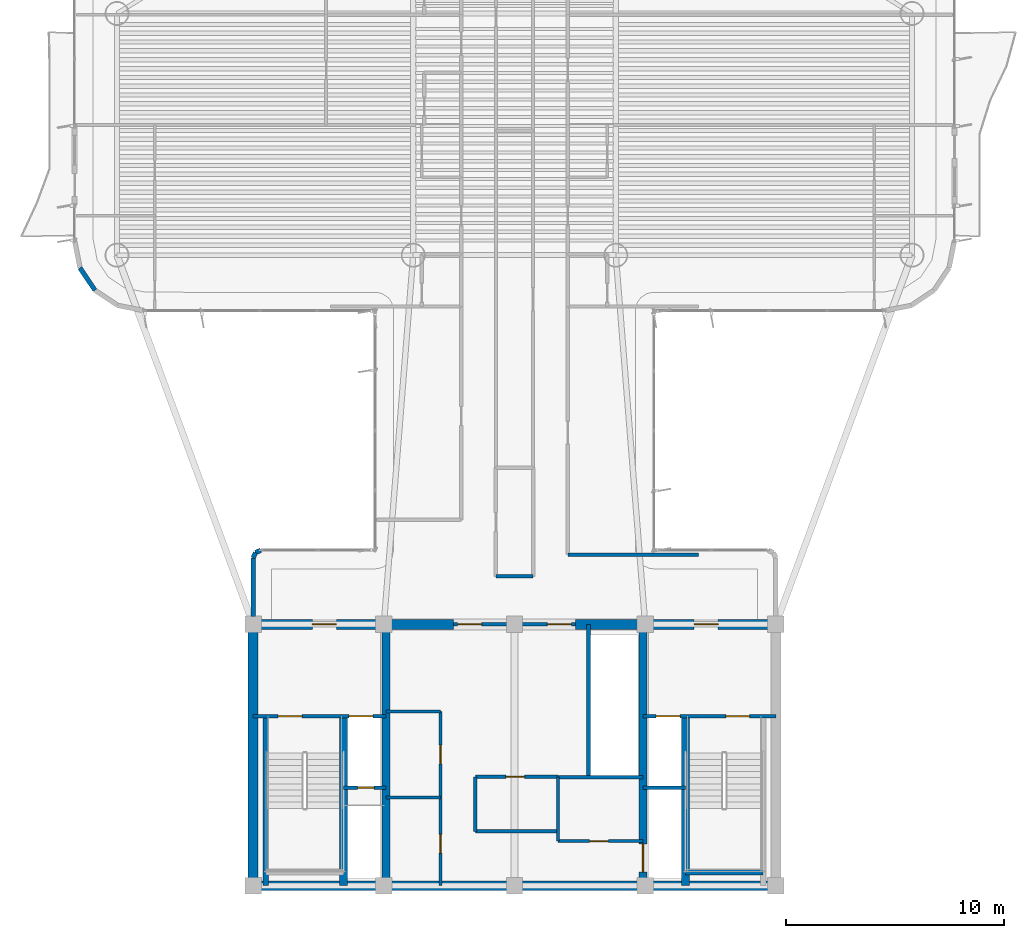
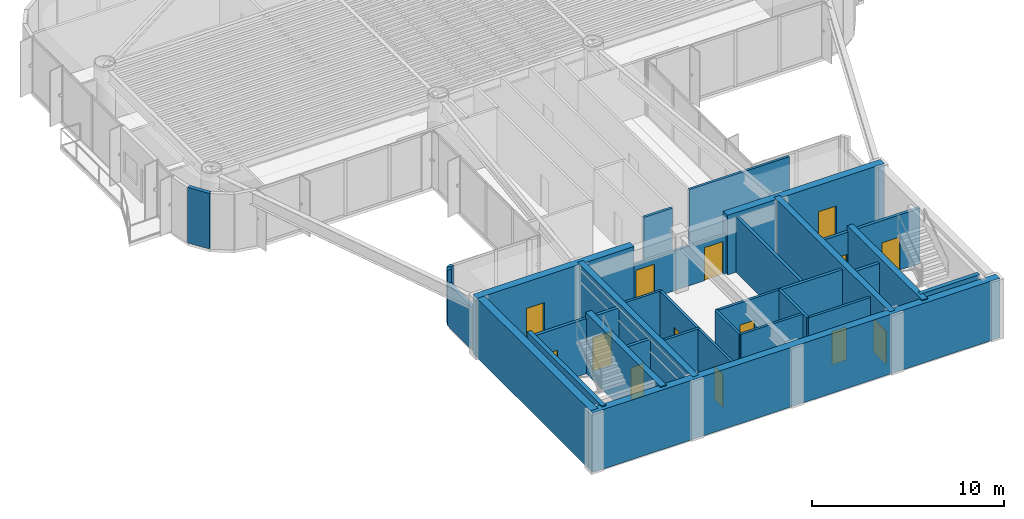
# One storey, part 9 of 14: 31 walls, 14 doors, 14 openings.
"""IFC4 building model written with IfcOpenShell, lengths in metres."""

from ifc_helpers import new_model, si_unit, direction, frame, frame_2d, origin, origin_2d, place, context, subcontext, project, spatial, rectangle, extrude, source, transform, mapped, material, layer, layer_set, type_object, element, fill, save


model = new_model("IFC4")

# Units and contexts
model_context = context("Model", 3, precision=1e-05, world=origin(), true_north=direction((0.0, 1.0)))
body_context = subcontext(model_context, "Body", "Model", "MODEL_VIEW")
ifc_project = project(units=[si_unit("LENGTHUNIT", "METRE"), si_unit("AREAUNIT", "SQUARE_METRE"), si_unit("VOLUMEUNIT", "CUBIC_METRE"), si_unit("PLANEANGLEUNIT", "RADIAN"), si_unit("MASSUNIT", "GRAM", prefix="KILO")], contexts=[model_context])

# Site, building, storey
site_placement = place(None, origin())
site = spatial("IfcSite", under=ifc_project, at=site_placement, CompositionType="ELEMENT")
building_placement = place(site_placement, origin())
building = spatial("IfcBuilding", under=site, at=building_placement, Name="Brelvock Crest Care Tower", CompositionType="ELEMENT")
storey_placement = place(building_placement, frame((0.0, 0.0, 205.56005859375)))
storey = spatial("IfcBuildingStorey", under=building, at=storey_placement, Name="L52", CompositionType="ELEMENT", Elevation=205.56005859375)

# Walls
ifc_material_1 = material(Name="Concrete S65 (65 MPa)", Category="concrete")
ifc_layer_1 = layer(ifc_material_1, 0.449951171875, Name="WL-CS3")
ifc_layer_set_1 = layer_set([ifc_layer_1], Name="Concrete S65 (65 MPa)")
wall_type_1 = type_object("IfcWallType", Name="WL-CS3", PredefinedType="SHEAR", material=ifc_layer_set_1)
wall_1_placement = place(storey_placement, frame((48.22509765625, 6.0, 0.0), z_axis=(0.0, 0.0, 1.0), x_axis=(-1.0, 0.0, 0.0)))
element("IfcWall", 1, at=wall_1_placement, inside=storey, type_object=wall_type_1, Name="L52 Core South Shear Wall", PredefinedType="SHEAR", context=body_context, shape_type="SweptSolid", body=[
    extrude(rectangle(XDim=24.4501953125, YDim=0.449951171875, at=frame_2d((12.22509765625, 0.0))), origin(), (0.0, 0.0, 1.0), 3.780029296875),
])
wall_2_placement = place(storey_placement, frame((24.0, 6.0, 0.0), z_axis=(0.0, 0.0, 1.0), x_axis=(0.0, 1.0, 0.0)))
element("IfcWall", 2, at=wall_2_placement, inside=storey, type_object=wall_type_1, Name="L52 Core West Shear Wall", PredefinedType="SHEAR", context=body_context, shape_type="SweptSolid", body=[
    extrude(rectangle(XDim=12.0, YDim=0.449951171875, at=frame_2d((6.0, 0.0))), origin(), (0.0, 0.0, 1.0), 3.780029296875),
])

# Wall, opening, door
wall_3_placement = place(storey_placement, frame((23.77490234375, 18.0, 0.0), z_axis=(0.0, 0.0, 1.0), x_axis=(1.0, 0.0, 0.0)))
wall_3 = element("IfcWall", 3, at=wall_3_placement, inside=storey, type_object=wall_type_1, Name="L52 Core North-West Shear Wall", PredefinedType="SHEAR", context=body_context, shape_type="SweptSolid", body=[
    extrude(rectangle(XDim=9.425048828125, YDim=0.449951171875, at=frame_2d((4.71240234375, 0.0))), origin(), (0.0, 0.0, 1.0), 3.780029296875),
])
opening_1_placement = place(wall_3_placement, frame((2.949951171875, 0.0, 0.0)))
opening_1 = element("IfcOpeningElement", 4, at=opening_1_placement, cuts=wall_3, Name="Opening FD-1", PredefinedType="OPENING", context=body_context, shape_type="SweptSolid", body=[
    extrude(rectangle(XDim=1.10009765625, YDim=2.10009765625, at=origin_2d()), frame((0.550048828125, 0.23486328125, 1.050048828125), z_axis=(0.0, -1.0, 0.0), x_axis=(1.0, 0.0, 0.0)), (0.0, 0.0, 1.0), 0.469970703125),
])
ifc_material_2 = material(Name="Steel Grade 350", Category="steel")
door_type_1 = type_object("IfcDoorType", Name="DR-FFL1", OperationType="NOTDEFINED", PredefinedType="DOOR", material=ifc_material_2)
shared_shape_1 = source(origin(), body_context, "Body", "SweptSolid", [
    extrude(rectangle(XDim=1.10009765625, YDim=2.10009765625, at=origin_2d()), frame((0.550048828125, 0.02490234375, 1.050048828125), z_axis=(0.0, -1.0, 0.0), x_axis=(1.0, 0.0, 0.0)), (0.0, 0.0, 1.0), 0.050048828125),
])
door_1_placement = place(opening_1_placement, origin())
door_1 = element("IfcDoor", 5, at=door_1_placement, inside=storey, type_object=door_type_1, Name="L52 Firefighting Lobby FFL-1 Exit Door", OperationType="SINGLE_SWING_LEFT", OverallHeight=2.10009765625, OverallWidth=1.10009765625, PredefinedType="DOOR", context=body_context, shape_type="MappedRepresentation", body=[
    mapped(shared_shape_1, transform((0.0, 0.0, 0.0), x_axis=(1.0, 0.0, 0.0), y_axis=(0.0, 1.0, 0.0), z_axis=(0.0, 0.0, 1.0), scale=1.0)),
])
fill(opening_1, door_1)

wall_4_placement = place(storey_placement, frame((38.800048828125, 18.0, 0.0), z_axis=(0.0, 0.0, 1.0), x_axis=(1.0, 0.0, 0.0)))
wall_4 = element("IfcWall", 6, at=wall_4_placement, inside=storey, type_object=wall_type_1, Name="L52 Core North-East Shear Wall", PredefinedType="SHEAR", context=body_context, shape_type="SweptSolid", body=[
    extrude(rectangle(XDim=9.425048828125, YDim=0.449951171875, at=frame_2d((4.71240234375, 0.0))), origin(), (0.0, 0.0, 1.0), 3.780029296875),
])
opening_2_placement = place(wall_4_placement, frame((5.449951171875, 0.0, 0.0)))
opening_2 = element("IfcOpeningElement", 7, at=opening_2_placement, cuts=wall_4, Name="Opening FD-1", PredefinedType="OPENING", context=body_context, shape_type="SweptSolid", body=[
    extrude(rectangle(XDim=1.10009765625, YDim=2.10009765625, at=origin_2d()), frame((0.550048828125, 0.23486328125, 1.050048828125), z_axis=(0.0, -1.0, 0.0), x_axis=(1.0, 0.0, 0.0)), (0.0, 0.0, 1.0), 0.469970703125),
])
door_2_placement = place(opening_2_placement, origin())
door_2 = element("IfcDoor", 8, at=door_2_placement, inside=storey, type_object=door_type_1, Name="L52 Firefighting Lobby FFL-2 Exit Door", OperationType="SINGLE_SWING_RIGHT", OverallHeight=2.10009765625, OverallWidth=1.10009765625, PredefinedType="DOOR", context=body_context, shape_type="MappedRepresentation", body=[
    mapped(shared_shape_1, transform((0.0, 0.0, 0.0), x_axis=(1.0, 0.0, 0.0), y_axis=(0.0, 1.0, 0.0), z_axis=(0.0, 0.0, 1.0), scale=1.0)),
])
fill(opening_2, door_2)

# Wall
ifc_material_3 = material(Name="Concrete S80 (80 MPa)", Category="concrete")
ifc_layer_2 = layer(ifc_material_3, 0.35009765625, Name="WL-CS5")
ifc_layer_set_2 = layer_set([ifc_layer_2], Name="Concrete S80 (80 MPa)")
wall_type_2 = type_object("IfcWallType", Name="WL-CS5", PredefinedType="SHEAR", material=ifc_layer_set_2)
wall_5_placement = place(storey_placement, frame((30.10009765625, 6.0, 0.0), z_axis=(0.0, 0.0, 1.0), x_axis=(0.0, 1.0, 0.0)))
element("IfcWall", 9, at=wall_5_placement, inside=storey, type_object=wall_type_2, Name="L52 Core Internal Web Wall West", PredefinedType="SHEAR", context=body_context, shape_type="SweptSolid", body=[
    extrude(rectangle(XDim=12.0, YDim=0.35009765625, at=frame_2d((6.0, 0.0))), origin(), (0.0, 0.0, 1.0), 3.780029296875),
])

# Wall, opening, door
wall_6_placement = place(storey_placement, frame((41.89990234375, 18.0, 0.0), z_axis=(0.0, 0.0, 1.0), x_axis=(0.0, -1.0, 0.0)))
wall_6 = element("IfcWall", 10, at=wall_6_placement, inside=storey, type_object=wall_type_2, Name="L52 Core Internal Web Wall East", PredefinedType="SHEAR", context=body_context, shape_type="SweptSolid", body=[
    extrude(rectangle(XDim=12.0, YDim=0.35009765625, at=frame_2d((6.0, 0.0))), origin(), (0.0, 0.0, 1.0), 3.780029296875),
])
opening_3_placement = place(wall_6_placement, frame((10.080078125, 0.0, 0.0)))
opening_3 = element("IfcOpeningElement", 11, at=opening_3_placement, cuts=wall_6, Name="Opening LD-S", PredefinedType="OPENING", context=body_context, shape_type="SweptSolid", body=[
    extrude(rectangle(XDim=1.300048828125, YDim=2.10009765625, at=origin_2d()), frame((0.64990234375, 0.18505859375, 1.050048828125), z_axis=(0.0, -1.0, 0.0), x_axis=(1.0, 0.0, 0.0)), (0.0, 0.0, 1.0), 0.3701171875),
])
door_type_2 = type_object("IfcDoorType", Name="DR-LDS1", OperationType="NOTDEFINED", PredefinedType="DOOR", material=ifc_material_2)
shared_shape_2 = source(origin(), body_context, "Body", "SweptSolid", [
    extrude(rectangle(XDim=1.300048828125, YDim=2.10009765625, at=origin_2d()), frame((0.64990234375, 0.02490234375, 1.050048828125), z_axis=(0.0, -1.0, 0.0), x_axis=(1.0, 0.0, 0.0)), (0.0, 0.0, 1.0), 0.050048828125),
])
door_3_placement = place(opening_3_placement, origin())
door_3 = element("IfcDoor", 12, at=door_3_placement, inside=storey, type_object=door_type_2, Name="L52 Clinical Bed Lift SL-1 Landing Door", OperationType="SLIDING_TO_LEFT", OverallHeight=2.10009765625, OverallWidth=1.300048828125, PredefinedType="DOOR", context=body_context, shape_type="MappedRepresentation", body=[
    mapped(shared_shape_2, transform((0.0, 0.0, 0.0), x_axis=(1.0, 0.0, 0.0), y_axis=(0.0, 1.0, 0.0), z_axis=(0.0, 0.0, 1.0), scale=1.0)),
])
fill(opening_3, door_3)

# Walls
for number, where, z_axis, x_axis, name in (
    (13, (28.14990234375, 6.0, 0.0), (0.0, 0.0, 1.0), (0.0, 1.0, 0.0), "L52 Core Stair ST-1 East Shear Wall"),
    (14, (43.85009765625, 6.0, 0.0), (0.0, 0.0, 1.0), (0.0, 1.0, 0.0), "L52 Core Stair ST-2 West Shear Wall"),
):
    element("IfcWall", number, at=place(storey_placement, frame(where, z_axis=z_axis, x_axis=x_axis)), inside=storey, type_object=wall_type_2, Name=name, PredefinedType="SHEAR", context=body_context, shape_type="SweptSolid", body=[
        extrude(rectangle(XDim=7.780029296875, YDim=0.35009765625, at=frame_2d((3.89013671875, 0.0))), origin(), (0.0, 0.0, 1.0), 3.849853515625),
    ])
ifc_layer_3 = layer(ifc_material_3, 0.25, Name="WL-CS6")
ifc_layer_set_3 = layer_set([ifc_layer_3], Name="Concrete S80 (80 MPa)")
wall_type_3 = type_object("IfcWallType", Name="WL-CS6", PredefinedType="SHEAR", material=ifc_layer_set_3)
wall_7_placement = place(storey_placement, frame((24.580078125, 6.0, 0.0), z_axis=(0.0, 0.0, 1.0), x_axis=(0.0, 1.0, 0.0)))
element("IfcWall", 15, at=wall_7_placement, inside=storey, type_object=wall_type_3, Name="L52 Core Stair ST-1 West Shear Wall", PredefinedType="SHEAR", context=body_context, shape_type="SweptSolid", body=[
    extrude(rectangle(XDim=7.780029296875, YDim=0.25, at=frame_2d((3.89013671875, 0.0))), origin(), (0.0, 0.0, 1.0), 3.849853515625),
])
wall_8_placement = place(storey_placement, frame((43.85009765625, 6.6201171875, 0.0), z_axis=(0.0, 0.0, 1.0), x_axis=(1.0, 0.0, 0.0)))
element("IfcWall", 16, at=wall_8_placement, inside=storey, type_object=wall_type_3, Name="L52 Core Stair ST-2 South Shear Wall", PredefinedType="SHEAR", context=body_context, shape_type="SweptSolid", body=[
    extrude(rectangle(XDim=3.56982421875, YDim=0.25, at=frame_2d((1.784912109375, 0.0))), origin(), (0.0, 0.0, 1.0), 3.849853515625),
])
ifc_material_4 = material(Name="Precast concrete N40 (40 MPa)", Category="concrete")
ifc_layer_4 = layer(ifc_material_4, 0.215087890625, Name="WL-EX2")
ifc_layer_set_4 = layer_set([ifc_layer_4], Name="Precast concrete N40 (40 MPa)")
wall_type_4 = type_object("IfcWallType", Name="WL-EX2", PredefinedType="SOLIDWALL", material=ifc_layer_set_4)
wall_9_placement = place(storey_placement, frame((24.0, 18.35498046875, 0.0), z_axis=(0.0, 0.0, 1.0), x_axis=(0.0, 1.0, 0.0)))
element("IfcWall", 17, at=wall_9_placement, inside=storey, type_object=wall_type_4, Name="L52 Rounded Corner Wall 07", PredefinedType="SOLIDWALL", context=body_context, shape_type="SweptSolid", body=[
    extrude(rectangle(XDim=2.695068359375, YDim=0.215087890625, at=frame_2d((1.34765625, 0.0))), origin(), (0.0, 0.0, 1.0), 2.718017578125),
])
wall_10_placement = place(storey_placement, frame((24.0, 21.050048828125, 0.0), z_axis=(0.0, 0.0, 1.0), x_axis=(0.382673670509, 0.923883575944, 0.0)))
element("IfcWall", 18, at=wall_10_placement, inside=storey, type_object=wall_type_4, Name="L52 Rounded Corner Wall 08", PredefinedType="SOLIDWALL", context=body_context, shape_type="SweptSolid", body=[
    extrude(rectangle(XDim=0.26806640625, YDim=0.215087890625, at=frame_2d((0.134033203125, 0.0))), origin(), (0.0, 0.0, 1.0), 3.530029296875),
])
wall_11_placement = place(storey_placement, frame((24.1025390625, 21.297607421875, 0.0), z_axis=(0.0, 0.0, 1.0), x_axis=(0.924205486139, 0.381895560841, 0.0)))
element("IfcWall", 19, at=wall_11_placement, inside=storey, type_object=wall_type_4, Name="L52 Rounded Corner Wall 09", PredefinedType="SOLIDWALL", context=body_context, shape_type="SweptSolid", body=[
    extrude(rectangle(XDim=0.267822265625, YDim=0.215087890625, at=frame_2d((0.1337890625, 0.0))), origin(), (0.0, 0.0, 1.0), 3.530029296875),
])
wall_12_placement = place(storey_placement, frame((16.7373046875, 33.33740234375, 0.0), z_axis=(0.0, 0.0, 1.0), x_axis=(-0.555557312883, 0.831478245117, 0.0)))
element("IfcWall", 20, at=wall_12_placement, inside=storey, type_object=wall_type_4, Name="L52 Rounded Corner Wall 15", PredefinedType="SOLIDWALL", context=body_context, shape_type="SweptSolid", body=[
    extrude(rectangle(XDim=1.24853515625, YDim=0.215087890625, at=frame_2d((0.624267578125, 0.0))), origin(), (0.0, 0.0, 1.0), 3.530029296875),
])
ifc_material_5 = material(Name="Masonry Blockwork Acoustic Partition", Category="masonry")
ifc_layer_5 = layer(ifc_material_5, 0.14990234375, Name="WL-INT1")
ifc_layer_set_5 = layer_set([ifc_layer_5], Name="Masonry Blockwork Acoustic Partition")
wall_type_5 = type_object("IfcWallType", Name="WL-INT1", PredefinedType="PARTITIONING", material=ifc_layer_set_5)
wall_13_placement = place(storey_placement, frame((30.10009765625, 14.0, 0.0), z_axis=(0.0, 0.0, 1.0), x_axis=(1.0, 0.0, 0.0)))
element("IfcWall", 21, at=wall_13_placement, inside=storey, type_object=wall_type_5, Name="L52 Interior Wall WL-CRCL-N1-L52", PredefinedType="PARTITIONING", context=body_context, shape_type="SweptSolid", body=[
    extrude(rectangle(XDim=2.5, YDim=0.14990234375, at=frame_2d((1.25, 0.0))), origin(), (0.0, 0.0, 1.0), 3.5),
])
wall_14_placement = place(storey_placement, frame((34.199951171875, 8.5, 0.0), z_axis=(0.0, 0.0, 1.0), x_axis=(1.0, 0.0, 0.0)))
element("IfcWall", 22, at=wall_14_placement, inside=storey, type_object=wall_type_5, Name="L52 Interior Wall WL-CRCM-SW-L52", PredefinedType="PARTITIONING", context=body_context, shape_type="SweptSolid", body=[
    extrude(rectangle(XDim=3.800048828125, YDim=0.14990234375, at=frame_2d((1.89990234375, 0.0))), origin(), (0.0, 0.0, 1.0), 3.5),
])

# Wall, opening, door
wall_15_placement = place(storey_placement, frame((38.0, 8.050048828125, 0.0), z_axis=(0.0, 0.0, 1.0), x_axis=(1.0, 0.0, 0.0)))
wall_15 = element("IfcWall", 23, at=wall_15_placement, inside=storey, type_object=wall_type_5, Name="L52 Interior Wall WL-CRCM-SE-L52", PredefinedType="PARTITIONING", context=body_context, shape_type="SweptSolid", body=[
    extrude(rectangle(XDim=3.89990234375, YDim=0.14990234375, at=frame_2d((1.949951171875, 0.0))), origin(), (0.0, 0.0, 1.0), 3.5),
])
opening_4_placement = place(wall_15_placement, frame((1.449951171875, 0.0, 0.0)))
opening_4 = element("IfcOpeningElement", 24, at=opening_4_placement, cuts=wall_15, Name="Opening ID-1", PredefinedType="OPENING", context=body_context, shape_type="SweptSolid", body=[
    extrude(rectangle(XDim=0.860107421875, YDim=2.10009765625, at=origin_2d()), frame((0.43017578125, 0.0849609375, 1.050048828125), z_axis=(0.0, -1.0, 0.0), x_axis=(1.0, 0.0, 0.0)), (0.0, 0.0, 1.0), 0.169921875),
])
ifc_material_6 = material(Name="Engineered Hardwood Timber", Category="wood")
door_type_3 = type_object("IfcDoorType", Name="DR-INT1", OperationType="NOTDEFINED", PredefinedType="DOOR", material=ifc_material_6)
shared_shape_3 = source(origin(), body_context, "Body", "SweptSolid", [
    extrude(rectangle(XDim=0.860107421875, YDim=2.10009765625, at=origin_2d()), frame((0.43017578125, 0.02490234375, 1.050048828125), z_axis=(0.0, -1.0, 0.0), x_axis=(1.0, 0.0, 0.0)), (0.0, 0.0, 1.0), 0.050048828125),
])
door_4_placement = place(opening_4_placement, origin())
door_4 = element("IfcDoor", 25, at=door_4_placement, inside=storey, type_object=door_type_3, Name="DR-CRCM2-L52", OperationType="SINGLE_SWING_LEFT", OverallHeight=2.10009765625, OverallWidth=0.860107421875, PredefinedType="DOOR", context=body_context, shape_type="MappedRepresentation", body=[
    mapped(shared_shape_3, transform((0.0, 0.0, 0.0), x_axis=(1.0, 0.0, 0.0), y_axis=(0.0, 1.0, 0.0), z_axis=(0.0, 0.0, 1.0), scale=1.0)),
])
fill(opening_4, door_4)

# Walls
wall_16_placement = place(storey_placement, frame((34.199951171875, 8.5, 0.0), z_axis=(0.0, 0.0, 1.0), x_axis=(0.0, 1.0, 0.0)))
element("IfcWall", 26, at=wall_16_placement, inside=storey, type_object=wall_type_5, Name="L52 Interior Wall WL-CRCM-W-L52", PredefinedType="PARTITIONING", context=body_context, shape_type="SweptSolid", body=[
    extrude(rectangle(XDim=2.5, YDim=0.14990234375, at=frame_2d((1.25, 0.0))), origin(), (0.0, 0.0, 1.0), 3.5),
])
wall_17_placement = place(storey_placement, frame((38.0, 8.050048828125, 0.0), z_axis=(0.0, 0.0, 1.0), x_axis=(0.0, 1.0, 0.0)))
element("IfcWall", 27, at=wall_17_placement, inside=storey, type_object=wall_type_5, Name="L52 Interior Wall WL-CRCM-V-L52", PredefinedType="PARTITIONING", context=body_context, shape_type="SweptSolid", body=[
    extrude(rectangle(XDim=2.949951171875, YDim=0.14990234375, at=frame_2d((1.47509765625, 0.0))), origin(), (0.0, 0.0, 1.0), 3.5),
])

# Wall, opening, door
wall_18_placement = place(storey_placement, frame((34.199951171875, 11.0, 0.0), z_axis=(0.0, 0.0, 1.0), x_axis=(1.0, 0.0, 0.0)))
wall_18 = element("IfcWall", 28, at=wall_18_placement, inside=storey, type_object=wall_type_5, Name="L52 Interior Wall WL-CRCM-NW-L52", PredefinedType="PARTITIONING", context=body_context, shape_type="SweptSolid", body=[
    extrude(rectangle(XDim=3.800048828125, YDim=0.14990234375, at=frame_2d((1.89990234375, 0.0))), origin(), (0.0, 0.0, 1.0), 3.5),
])
opening_5_placement = place(wall_18_placement, frame((1.39990234375, 0.0, 0.0)))
opening_5 = element("IfcOpeningElement", 29, at=opening_5_placement, cuts=wall_18, Name="Opening ID-1", PredefinedType="OPENING", context=body_context, shape_type="SweptSolid", body=[
    extrude(rectangle(XDim=0.860107421875, YDim=2.10009765625, at=origin_2d()), frame((0.43017578125, 0.0849609375, 1.050048828125), z_axis=(0.0, -1.0, 0.0), x_axis=(1.0, 0.0, 0.0)), (0.0, 0.0, 1.0), 0.169921875),
])
door_5_placement = place(opening_5_placement, origin())
door_5 = element("IfcDoor", 30, at=door_5_placement, inside=storey, type_object=door_type_3, Name="DR-CRCM1-L52", OperationType="SINGLE_SWING_LEFT", OverallHeight=2.10009765625, OverallWidth=0.860107421875, PredefinedType="DOOR", context=body_context, shape_type="MappedRepresentation", body=[
    mapped(shared_shape_3, transform((0.0, 0.0, 0.0), x_axis=(1.0, 0.0, 0.0), y_axis=(0.0, 1.0, 0.0), z_axis=(0.0, 0.0, 1.0), scale=1.0)),
])
fill(opening_5, door_5)

# Wall
wall_19_placement = place(storey_placement, frame((30.10009765625, 10.050048828125, 0.0), z_axis=(0.0, 0.0, 1.0), x_axis=(1.0, 0.0, 0.0)))
element("IfcWall", 31, at=wall_19_placement, inside=storey, type_object=wall_type_5, Name="L52 Interior Wall WL-CSBW-S1-L52", PredefinedType="PARTITIONING", context=body_context, shape_type="SweptSolid", body=[
    extrude(rectangle(XDim=2.5, YDim=0.14990234375, at=frame_2d((1.25, 0.0))), origin(), (0.0, 0.0, 1.0), 3.5),
])

# Wall, openings, doors
wall_20_placement = place(storey_placement, frame((32.60009765625, 6.0, 0.0), z_axis=(0.0, 0.0, 1.0), x_axis=(0.0, 1.0, 0.0)))
wall_20 = element("IfcWall", 32, at=wall_20_placement, inside=storey, type_object=wall_type_5, Name="L52 Interior Wall WL-CRCL-E-L52", PredefinedType="PARTITIONING", context=body_context, shape_type="SweptSolid", body=[
    extrude(rectangle(XDim=8.0, YDim=0.14990234375, at=frame_2d((4.0, 0.0))), origin(), (0.0, 0.0, 1.0), 3.5),
])
opening_6_placement = place(wall_20_placement, frame((1.5, 0.0, 0.0)))
opening_6 = element("IfcOpeningElement", 33, at=opening_6_placement, cuts=wall_20, Name="Opening ID-1", PredefinedType="OPENING", context=body_context, shape_type="SweptSolid", body=[
    extrude(rectangle(XDim=0.860107421875, YDim=2.10009765625, at=origin_2d()), frame((0.43017578125, 0.0849609375, 1.050048828125), z_axis=(0.0, -1.0, 0.0), x_axis=(1.0, 0.0, 0.0)), (0.0, 0.0, 1.0), 0.169921875),
])
opening_7_placement = place(wall_20_placement, frame((5.60009765625, 0.0, 0.0)))
opening_7 = element("IfcOpeningElement", 34, at=opening_7_placement, cuts=wall_20, Name="Opening ID-1", PredefinedType="OPENING", context=body_context, shape_type="SweptSolid", body=[
    extrude(rectangle(XDim=0.860107421875, YDim=2.10009765625, at=origin_2d()), frame((0.43017578125, 0.0849609375, 1.050048828125), z_axis=(0.0, -1.0, 0.0), x_axis=(1.0, 0.0, 0.0)), (0.0, 0.0, 1.0), 0.169921875),
])
door_6_placement = place(opening_6_placement, origin())
door_6 = element("IfcDoor", 35, at=door_6_placement, inside=storey, type_object=door_type_3, Name="DR-CSBW-L52", OperationType="SINGLE_SWING_LEFT", OverallHeight=2.10009765625, OverallWidth=0.860107421875, PredefinedType="DOOR", context=body_context, shape_type="MappedRepresentation", body=[
    mapped(shared_shape_3, transform((0.0, 0.0, 0.0), x_axis=(1.0, 0.0, 0.0), y_axis=(0.0, 1.0, 0.0), z_axis=(0.0, 0.0, 1.0), scale=1.0)),
])
fill(opening_6, door_6)
door_7_placement = place(opening_7_placement, origin())
door_7 = element("IfcDoor", 36, at=door_7_placement, inside=storey, type_object=door_type_3, Name="DR-CRCL1-L52", OperationType="SINGLE_SWING_LEFT", OverallHeight=2.10009765625, OverallWidth=0.860107421875, PredefinedType="DOOR", context=body_context, shape_type="MappedRepresentation", body=[
    mapped(shared_shape_3, transform((0.0, 0.0, 0.0), x_axis=(1.0, 0.0, 0.0), y_axis=(0.0, 1.0, 0.0), z_axis=(0.0, 0.0, 1.0), scale=1.0)),
])
fill(opening_7, door_7)

wall_21_placement = place(storey_placement, frame((33.199951171875, 18.0, 0.0), z_axis=(0.0, 0.0, 1.0), x_axis=(1.0, 0.0, 0.0)))
wall_21 = element("IfcWall", 37, at=wall_21_placement, inside=storey, type_object=wall_type_5, Name="L52 Interior Wall WL-CORE-NPORT-L52", PredefinedType="PARTITIONING", context=body_context, shape_type="SweptSolid", body=[
    extrude(rectangle(XDim=5.60009765625, YDim=0.14990234375, at=frame_2d((2.800048828125, 0.0))), origin(), (0.0, 0.0, 1.0), 2.514892578125),
])
opening_8_placement = place(wall_21_placement, frame((0.18994140625, 0.0, 0.0)))
opening_8 = element("IfcOpeningElement", 38, at=opening_8_placement, cuts=wall_21, Name="Opening FD-1", PredefinedType="OPENING", context=body_context, shape_type="SweptSolid", body=[
    extrude(rectangle(XDim=1.10009765625, YDim=2.10009765625, at=origin_2d()), frame((0.550048828125, 0.0849609375, 1.050048828125), z_axis=(0.0, -1.0, 0.0), x_axis=(1.0, 0.0, 0.0)), (0.0, 0.0, 1.0), 0.169921875),
])
opening_9_placement = place(wall_21_placement, frame((4.31005859375, 0.0, 0.0)))
opening_9 = element("IfcOpeningElement", 39, at=opening_9_placement, cuts=wall_21, Name="Opening FD-1", PredefinedType="OPENING", context=body_context, shape_type="SweptSolid", body=[
    extrude(rectangle(XDim=1.10009765625, YDim=2.10009765625, at=origin_2d()), frame((0.550048828125, 0.0849609375, 1.050048828125), z_axis=(0.0, -1.0, 0.0), x_axis=(1.0, 0.0, 0.0)), (0.0, 0.0, 1.0), 0.169921875),
])
door_8_placement = place(opening_8_placement, origin())
door_8 = element("IfcDoor", 40, at=door_8_placement, inside=storey, type_object=door_type_1, Name="L52 Lift Lobby North Smoke Door West", OperationType="SINGLE_SWING_LEFT", OverallHeight=2.10009765625, OverallWidth=1.10009765625, PredefinedType="DOOR", context=body_context, shape_type="MappedRepresentation", body=[
    mapped(shared_shape_1, transform((0.0, 0.0, 0.0), x_axis=(1.0, 0.0, 0.0), y_axis=(0.0, 1.0, 0.0), z_axis=(0.0, 0.0, 1.0), scale=1.0)),
])
fill(opening_8, door_8)
door_9_placement = place(opening_9_placement, origin())
door_9 = element("IfcDoor", 41, at=door_9_placement, inside=storey, type_object=door_type_1, Name="L52 Lift Lobby North Smoke Door East", OperationType="SINGLE_SWING_RIGHT", OverallHeight=2.10009765625, OverallWidth=1.10009765625, PredefinedType="DOOR", context=body_context, shape_type="MappedRepresentation", body=[
    mapped(shared_shape_1, transform((0.0, 0.0, 0.0), x_axis=(1.0, 0.0, 0.0), y_axis=(0.0, 1.0, 0.0), z_axis=(0.0, 0.0, 1.0), scale=1.0)),
])
fill(opening_9, door_9)

# Walls
wall_22_placement = place(storey_placement, frame((38.449951171875, 21.199951171875, 0.0), z_axis=(0.0, 0.0, 1.0), x_axis=(1.0, 0.0, 0.0)))
element("IfcWall", 42, at=wall_22_placement, inside=storey, type_object=wall_type_5, Name="L52 Interior Wall WL-BX-L52-THRE-S", PredefinedType="PARTITIONING", context=body_context, shape_type="SweptSolid", body=[
    extrude(rectangle(XDim=5.99267578125, YDim=0.14990234375, at=frame_2d((2.996337890625, 0.0))), origin(), (0.0, 0.0, 1.0), 3.5),
])
ifc_material_7 = material(Name="Gypsum Plasterboard Partition", Category="gypsum")
ifc_layer_6 = layer(ifc_material_7, 0.159912109375, Name="WL-PLM1")
ifc_layer_set_6 = layer_set([ifc_layer_6], Name="Gypsum Plasterboard Partition")
wall_type_6 = type_object("IfcWallType", Name="WL-PLM1", PredefinedType="PLUMBINGWALL", material=ifc_layer_set_6)
wall_23_placement = place(storey_placement, frame((35.14990234375, 20.199951171875, 0.0), z_axis=(0.0, 0.0, 1.0), x_axis=(1.0, 0.0, 0.0)))
element("IfcWall", 43, at=wall_23_placement, inside=storey, type_object=wall_type_6, Name="L52 Interior Wall WL-BX-L52-ISWC-S", PredefinedType="PLUMBINGWALL", context=body_context, shape_type="SweptSolid", body=[
    extrude(rectangle(XDim=1.7001953125, YDim=0.159912109375, at=frame_2d((0.85009765625, 0.0))), origin(), (0.0, 0.0, 1.0), 3.5),
])
ifc_layer_7 = layer(ifc_material_5, 0.179931640625, Name="WL-SHF1")
ifc_layer_set_7 = layer_set([ifc_layer_7], Name="Masonry Blockwork Acoustic Partition")
wall_type_7 = type_object("IfcWallType", Name="WL-SHF1", PredefinedType="PARTITIONING", material=ifc_layer_set_7)
wall_24_placement = place(storey_placement, frame((38.0, 10.97998046875, 0.0), z_axis=(0.0, 0.0, 1.0), x_axis=(1.0, 0.0, 0.0)))
element("IfcWall", 44, at=wall_24_placement, inside=storey, type_object=wall_type_7, Name="L52 Interior Wall WL-CRCM-NE-L52", PredefinedType="PARTITIONING", context=body_context, shape_type="SweptSolid", body=[
    extrude(rectangle(XDim=3.89990234375, YDim=0.179931640625, at=frame_2d((1.949951171875, 0.0))), origin(), (0.0, 0.0, 1.0), 3.5),
])
wall_25_placement = place(storey_placement, frame((39.39990234375, 11.0, 0.0), z_axis=(0.0, 0.0, 1.0), x_axis=(0.0, 1.0, 0.0)))
element("IfcWall", 45, at=wall_25_placement, inside=storey, type_object=wall_type_7, Name="L52 Interior Wall WL-PLH-SHF-L52", PredefinedType="PARTITIONING", context=body_context, shape_type="SweptSolid", body=[
    extrude(rectangle(XDim=7.0, YDim=0.179931640625, at=frame_2d((3.5, 0.0))), origin(), (0.0, 0.0, 1.0), 3.5),
])

# Wall, openings, doors
wall_26_placement = place(storey_placement, frame((24.0, 13.780029296875, 0.0), z_axis=(0.0, 0.0, 1.0), x_axis=(1.0, 0.0, 0.0)))
wall_26 = element("IfcWall", 46, at=wall_26_placement, inside=storey, type_object=wall_type_7, Name="L52 Interior Wall WL-ST1-N-L52", PredefinedType="PARTITIONING", context=body_context, shape_type="SweptSolid", body=[
    extrude(rectangle(XDim=6.10009765625, YDim=0.179931640625, at=frame_2d((3.050048828125, 0.0))), origin(), (0.0, 0.0, 1.0), 3.5),
])
opening_10_placement = place(wall_26_placement, frame((1.14990234375, 0.0, 0.0)))
opening_10 = element("IfcOpeningElement", 47, at=opening_10_placement, cuts=wall_26, Name="Opening SD-1", PredefinedType="OPENING", context=body_context, shape_type="SweptSolid", body=[
    extrude(rectangle(XDim=1.10009765625, YDim=2.10009765625, at=origin_2d()), frame((0.550048828125, 0.10009765625, 1.050048828125), z_axis=(0.0, -1.0, 0.0), x_axis=(1.0, 0.0, 0.0)), (0.0, 0.0, 1.0), 0.199951171875),
])
opening_11_placement = place(wall_26_placement, frame((4.39990234375, 0.0, 0.0)))
opening_11 = element("IfcOpeningElement", 48, at=opening_11_placement, cuts=wall_26, Name="Opening LD", PredefinedType="OPENING", context=body_context, shape_type="SweptSolid", body=[
    extrude(rectangle(XDim=1.10009765625, YDim=2.10009765625, at=origin_2d()), frame((0.550048828125, 0.10009765625, 1.050048828125), z_axis=(0.0, -1.0, 0.0), x_axis=(1.0, 0.0, 0.0)), (0.0, 0.0, 1.0), 0.199951171875),
])
door_type_4 = type_object("IfcDoorType", Name="DR-ST1", OperationType="NOTDEFINED", PredefinedType="DOOR", material=ifc_material_2)
shared_shape_4 = source(origin(), body_context, "Body", "SweptSolid", [
    extrude(rectangle(XDim=1.10009765625, YDim=2.10009765625, at=origin_2d()), frame((0.550048828125, 0.02490234375, 1.050048828125), z_axis=(0.0, -1.0, 0.0), x_axis=(1.0, 0.0, 0.0)), (0.0, 0.0, 1.0), 0.050048828125),
])
door_10_placement = place(opening_10_placement, origin())
door_10 = element("IfcDoor", 49, at=door_10_placement, inside=storey, type_object=door_type_4, Name="L52 Fire Stair ST-1 Door", OperationType="SINGLE_SWING_LEFT", OverallHeight=2.10009765625, OverallWidth=1.10009765625, PredefinedType="DOOR", context=body_context, shape_type="MappedRepresentation", body=[
    mapped(shared_shape_4, transform((0.0, 0.0, 0.0), x_axis=(1.0, 0.0, 0.0), y_axis=(0.0, 1.0, 0.0), z_axis=(0.0, 0.0, 1.0), scale=1.0)),
])
fill(opening_10, door_10)
door_type_5 = type_object("IfcDoorType", Name="DR-LD1", OperationType="NOTDEFINED", PredefinedType="DOOR", material=ifc_material_2)
shared_shape_5 = source(origin(), body_context, "Body", "SweptSolid", [
    extrude(rectangle(XDim=1.10009765625, YDim=2.10009765625, at=origin_2d()), frame((0.550048828125, 0.02490234375, 1.050048828125), z_axis=(0.0, -1.0, 0.0), x_axis=(1.0, 0.0, 0.0)), (0.0, 0.0, 1.0), 0.050048828125),
])
door_11_placement = place(opening_11_placement, origin())
door_11 = element("IfcDoor", 50, at=door_11_placement, inside=storey, type_object=door_type_5, Name="L52 Firefighting Lift FFL-1 Landing Door", OperationType="SLIDING_TO_LEFT", OverallHeight=2.10009765625, OverallWidth=1.10009765625, PredefinedType="DOOR", context=body_context, shape_type="MappedRepresentation", body=[
    mapped(shared_shape_5, transform((0.0, 0.0, 0.0), x_axis=(1.0, 0.0, 0.0), y_axis=(0.0, 1.0, 0.0), z_axis=(0.0, 0.0, 1.0), scale=1.0)),
])
fill(opening_11, door_11)

# Wall, opening, door
wall_27_placement = place(storey_placement, frame((28.14990234375, 10.5, 0.0), z_axis=(0.0, 0.0, 1.0), x_axis=(1.0, 0.0, 0.0)))
wall_27 = element("IfcWall", 51, at=wall_27_placement, inside=storey, type_object=wall_type_7, Name="L52 Interior Wall WL-FFH1-S-L52", PredefinedType="PARTITIONING", context=body_context, shape_type="SweptSolid", body=[
    extrude(rectangle(XDim=1.9501953125, YDim=0.179931640625, at=frame_2d((0.97509765625, 0.0))), origin(), (0.0, 0.0, 1.0), 3.5),
])
opening_12_placement = place(wall_27_placement, frame((0.64990234375, 0.0, 0.0)))
opening_12 = element("IfcOpeningElement", 52, at=opening_12_placement, cuts=wall_27, Name="Opening RD-1", PredefinedType="OPENING", context=body_context, shape_type="SweptSolid", body=[
    extrude(rectangle(XDim=0.760009765625, YDim=2.050048828125, at=origin_2d()), frame((0.3798828125, 0.10009765625, 1.02490234375), z_axis=(0.0, -1.0, 0.0), x_axis=(1.0, 0.0, 0.0)), (0.0, 0.0, 1.0), 0.199951171875),
])
door_type_6 = type_object("IfcDoorType", Name="DR-RIS1", OperationType="NOTDEFINED", PredefinedType="DOOR", material=ifc_material_2)
shared_shape_6 = source(origin(), body_context, "Body", "SweptSolid", [
    extrude(rectangle(XDim=0.760009765625, YDim=2.050048828125, at=origin_2d()), frame((0.3798828125, 0.02490234375, 1.02490234375), z_axis=(0.0, -1.0, 0.0), x_axis=(1.0, 0.0, 0.0)), (0.0, 0.0, 1.0), 0.050048828125),
])
door_12_placement = place(opening_12_placement, origin())
door_12 = element("IfcDoor", 53, at=door_12_placement, inside=storey, type_object=door_type_6, Name="L52 Wet Fire Riser Access Door", OperationType="SINGLE_SWING_LEFT", OverallHeight=2.050048828125, OverallWidth=0.760009765625, PredefinedType="DOOR", context=body_context, shape_type="MappedRepresentation", body=[
    mapped(shared_shape_6, transform((0.0, 0.0, 0.0), x_axis=(1.0, 0.0, 0.0), y_axis=(0.0, 1.0, 0.0), z_axis=(0.0, 0.0, 1.0), scale=1.0)),
])
fill(opening_12, door_12)

# Wall, openings, doors
wall_28_placement = place(storey_placement, frame((41.89990234375, 13.780029296875, 0.0), z_axis=(0.0, 0.0, 1.0), x_axis=(1.0, 0.0, 0.0)))
wall_28 = element("IfcWall", 54, at=wall_28_placement, inside=storey, type_object=wall_type_7, Name="L52 Interior Wall WL-ST2-N-L52", PredefinedType="PARTITIONING", context=body_context, shape_type="SweptSolid", body=[
    extrude(rectangle(XDim=6.10009765625, YDim=0.179931640625, at=frame_2d((3.050048828125, 0.0))), origin(), (0.0, 0.0, 1.0), 3.5),
])
opening_13_placement = place(wall_28_placement, frame((0.60009765625, 0.0, 0.0)))
opening_13 = element("IfcOpeningElement", 55, at=opening_13_placement, cuts=wall_28, Name="Opening LD", PredefinedType="OPENING", context=body_context, shape_type="SweptSolid", body=[
    extrude(rectangle(XDim=1.10009765625, YDim=2.10009765625, at=origin_2d()), frame((0.550048828125, 0.10009765625, 1.050048828125), z_axis=(0.0, -1.0, 0.0), x_axis=(1.0, 0.0, 0.0)), (0.0, 0.0, 1.0), 0.199951171875),
])
opening_14_placement = place(wall_28_placement, frame((3.800048828125, 0.0, 0.0)))
opening_14 = element("IfcOpeningElement", 56, at=opening_14_placement, cuts=wall_28, Name="Opening SD-1", PredefinedType="OPENING", context=body_context, shape_type="SweptSolid", body=[
    extrude(rectangle(XDim=1.10009765625, YDim=2.10009765625, at=origin_2d()), frame((0.550048828125, 0.10009765625, 1.050048828125), z_axis=(0.0, -1.0, 0.0), x_axis=(1.0, 0.0, 0.0)), (0.0, 0.0, 1.0), 0.199951171875),
])
door_13_placement = place(opening_14_placement, origin())
door_13 = element("IfcDoor", 57, at=door_13_placement, inside=storey, type_object=door_type_4, Name="L52 Fire Stair ST-2 Door", OperationType="SINGLE_SWING_RIGHT", OverallHeight=2.10009765625, OverallWidth=1.10009765625, PredefinedType="DOOR", context=body_context, shape_type="MappedRepresentation", body=[
    mapped(shared_shape_4, transform((0.0, 0.0, 0.0), x_axis=(1.0, 0.0, 0.0), y_axis=(0.0, 1.0, 0.0), z_axis=(0.0, 0.0, 1.0), scale=1.0)),
])
fill(opening_14, door_13)
door_14_placement = place(opening_13_placement, origin())
door_14 = element("IfcDoor", 58, at=door_14_placement, inside=storey, type_object=door_type_5, Name="L52 Firefighting Lift FFL-2 Landing Door", OperationType="SLIDING_TO_RIGHT", OverallHeight=2.10009765625, OverallWidth=1.10009765625, PredefinedType="DOOR", context=body_context, shape_type="MappedRepresentation", body=[
    mapped(shared_shape_5, transform((0.0, 0.0, 0.0), x_axis=(1.0, 0.0, 0.0), y_axis=(0.0, 1.0, 0.0), z_axis=(0.0, 0.0, 1.0), scale=1.0)),
])
fill(opening_13, door_14)

# Wall
wall_29_placement = place(storey_placement, frame((41.89990234375, 10.5, 0.0), z_axis=(0.0, 0.0, 1.0), x_axis=(1.0, 0.0, 0.0)))
element("IfcWall", 59, at=wall_29_placement, inside=storey, type_object=wall_type_7, Name="L52 Interior Wall WL-FFH2-S-L52", PredefinedType="PARTITIONING", context=body_context, shape_type="SweptSolid", body=[
    extrude(rectangle(XDim=1.9501953125, YDim=0.179931640625, at=frame_2d((0.97509765625, 0.0))), origin(), (0.0, 0.0, 1.0), 3.5),
])

save(model, "model.ifc")
